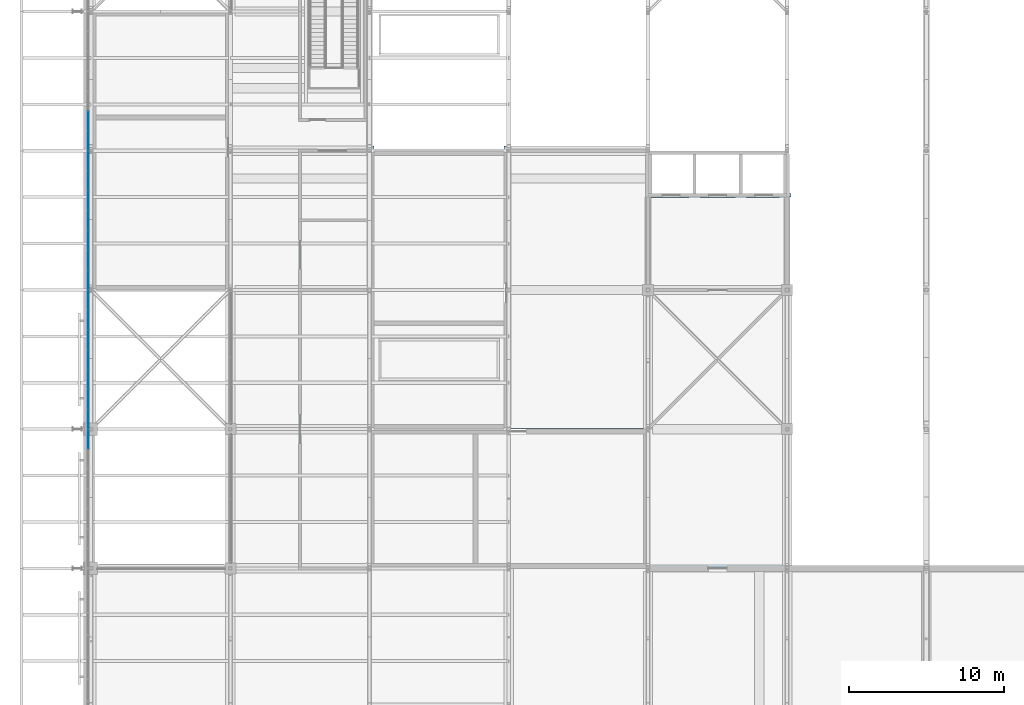
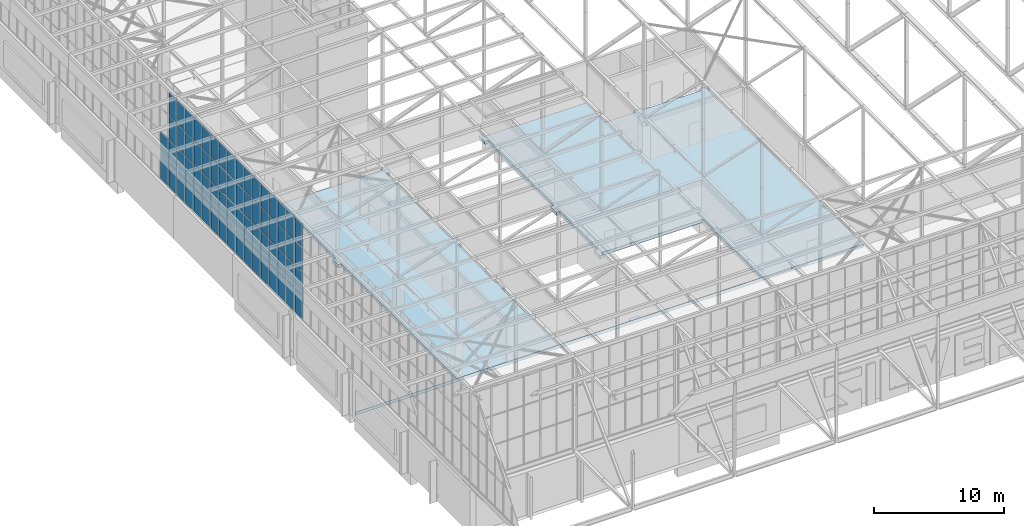
# One storey, part 144 of 646: 66 plates, 1 slab, 4 elements without a shape of their own.
"""IFC4 building model written with IfcOpenShell, lengths in metres."""

from ifc_helpers import new_model, si_unit, direction, frame, origin, origin_2d, place, context, subcontext, project, spatial, polyline, rectangle, outline, extrude, material, layer, layer_set, type_object, element, aggregate, save


model = new_model("IFC4")

# Units and contexts
model_context = context("Model", 3, precision=1e-05, world=origin(), true_north=direction((0.0, 1.0)))
body_context = subcontext(model_context, "Body", "Model", "MODEL_VIEW")
ifc_project = project(units=[si_unit("LENGTHUNIT", "METRE"), si_unit("AREAUNIT", "SQUARE_METRE"), si_unit("VOLUMEUNIT", "CUBIC_METRE"), si_unit("PLANEANGLEUNIT", "RADIAN"), si_unit("MASSUNIT", "GRAM", prefix="KILO")], contexts=[model_context])

# Site, building, storey
site_placement = place(None, origin())
site = spatial("IfcSite", under=ifc_project, at=site_placement, CompositionType="ELEMENT")
building_placement = place(site_placement, origin())
building = spatial("IfcBuilding", under=site, at=building_placement, Name="Silverbay Arena", CompositionType="ELEMENT")
storey_placement = place(building_placement, frame((0.0, 0.0, 33.5)))
storey = spatial("IfcBuildingStorey", under=building, at=storey_placement, Name="L05", CompositionType="ELEMENT", Elevation=33.5)

# Curtain wall, plates
ifc_material_1 = material(Name="Aluminium framed glazing", Category="aluminium")
curtain_wall_type = type_object("IfcCurtainWallType", Name="Curtain wall clerestory 9000 x 9000", PredefinedType="NOTDEFINED", material=ifc_material_1)
curtain_wall_1_placement = place(storey_placement, origin())
curtain_wall_1 = element("IfcCurtainWall", 1, at=curtain_wall_1_placement, inside=storey, type_object=curtain_wall_type, Name="ROOF GABLE CLERESTORY CURTAIN WALL west bay 04", PredefinedType="NOTDEFINED")
ifc_material_2 = material(Name="Laminated glass", Category="glass")
ifc_layer_1 = layer(ifc_material_2, 0.028076171875)
ifc_layer_set_1 = layer_set([ifc_layer_1], Name="Laminated glass")
plate_type = type_object("IfcPlateType", Name="Glass panel 28", PredefinedType="CURTAIN_PANEL", material=ifc_layer_set_1)
plate_1_placement = place(storey_placement, frame((53.820068359375, 44.342041015625, 4.0498046875), z_axis=(0.0, 0.0, 1.0), x_axis=(0.0, 1.0, 0.0)))
plate_1 = element("IfcPlate", 2, at=plate_1_placement, type_object=plate_type, Name="CW60 panel 7.1", PredefinedType="CURTAIN_PANEL", context=body_context, shape_type="SweptSolid", body=[
    extrude(rectangle(XDim=1.19580078125, YDim=0.028076171875, at=origin_2d()), origin(), (0.0, 0.0, 1.0), 2.175048828125),
])
plate_2_placement = place(storey_placement, frame((53.820068359375, 44.342041015625, 6.27490234375), z_axis=(0.0, 0.0, 1.0), x_axis=(0.0, 1.0, 0.0)))
plate_2 = element("IfcPlate", 3, at=plate_2_placement, type_object=plate_type, Name="CW60 panel 7.2", PredefinedType="CURTAIN_PANEL", context=body_context, shape_type="SweptSolid", body=[
    extrude(rectangle(XDim=1.19580078125, YDim=0.028076171875, at=origin_2d()), origin(), (0.0, 0.0, 1.0), 2.199951171875),
])
plate_3_placement = place(storey_placement, frame((53.820068359375, 44.342041015625, 8.52490234375), z_axis=(0.0, 0.0, 1.0), x_axis=(0.0, 1.0, 0.0)))
plate_3 = element("IfcPlate", 4, at=plate_3_placement, type_object=plate_type, Name="CW60 panel 7.3", PredefinedType="CURTAIN_PANEL", context=body_context, shape_type="SweptSolid", body=[
    extrude(rectangle(XDim=1.19580078125, YDim=0.028076171875, at=origin_2d()), origin(), (0.0, 0.0, 1.0), 2.199951171875),
])
plate_4_placement = place(storey_placement, frame((53.820068359375, 44.342041015625, 10.77490234375), z_axis=(0.0, 0.0, 1.0), x_axis=(0.0, 1.0, 0.0)))
plate_4 = element("IfcPlate", 5, at=plate_4_placement, type_object=plate_type, Name="CW60 panel 7.4", PredefinedType="CURTAIN_PANEL", context=body_context, shape_type="SweptSolid", body=[
    extrude(rectangle(XDim=1.19580078125, YDim=0.028076171875, at=origin_2d()), origin(), (0.0, 0.0, 1.0), 2.175048828125),
])
aggregate(curtain_wall_1, [plate_1, plate_2, plate_3, plate_4])

curtain_wall_2_placement = place(storey_placement, origin())
curtain_wall_2 = element("IfcCurtainWall", 6, at=curtain_wall_2_placement, inside=storey, type_object=curtain_wall_type, Name="ROOF GABLE CLERESTORY CURTAIN WALL west bay 05", PredefinedType="NOTDEFINED")
plate_5_placement = place(storey_placement, frame((53.820068359375, 45.657958984375, 4.0498046875), z_axis=(0.0, 0.0, 1.0), x_axis=(0.0, 1.0, 0.0)))
plate_5 = element("IfcPlate", 7, at=plate_5_placement, type_object=plate_type, Name="CW60 panel 1.1", PredefinedType="CURTAIN_PANEL", context=body_context, shape_type="SweptSolid", body=[
    extrude(rectangle(XDim=1.19580078125, YDim=0.028076171875, at=origin_2d()), origin(), (0.0, 0.0, 1.0), 2.175048828125),
])
plate_6_placement = place(storey_placement, frame((53.820068359375, 45.657958984375, 6.27490234375), z_axis=(0.0, 0.0, 1.0), x_axis=(0.0, 1.0, 0.0)))
plate_6 = element("IfcPlate", 8, at=plate_6_placement, type_object=plate_type, Name="CW60 panel 1.2", PredefinedType="CURTAIN_PANEL", context=body_context, shape_type="SweptSolid", body=[
    extrude(rectangle(XDim=1.19580078125, YDim=0.028076171875, at=origin_2d()), origin(), (0.0, 0.0, 1.0), 2.199951171875),
])
plate_7_placement = place(storey_placement, frame((53.820068359375, 45.657958984375, 8.52490234375), z_axis=(0.0, 0.0, 1.0), x_axis=(0.0, 1.0, 0.0)))
plate_7 = element("IfcPlate", 9, at=plate_7_placement, type_object=plate_type, Name="CW60 panel 1.3", PredefinedType="CURTAIN_PANEL", context=body_context, shape_type="SweptSolid", body=[
    extrude(rectangle(XDim=1.19580078125, YDim=0.028076171875, at=origin_2d()), origin(), (0.0, 0.0, 1.0), 2.199951171875),
])
plate_8_placement = place(storey_placement, frame((53.820068359375, 45.657958984375, 10.77490234375), z_axis=(0.0, 0.0, 1.0), x_axis=(0.0, 1.0, 0.0)))
plate_8 = element("IfcPlate", 10, at=plate_8_placement, type_object=plate_type, Name="CW60 panel 1.4", PredefinedType="CURTAIN_PANEL", context=body_context, shape_type="SweptSolid", body=[
    extrude(rectangle(XDim=1.19580078125, YDim=0.028076171875, at=origin_2d()), origin(), (0.0, 0.0, 1.0), 2.175048828125),
])
plate_9_placement = place(storey_placement, frame((53.820068359375, 46.928466796875, 4.0498046875), z_axis=(0.0, 0.0, 1.0), x_axis=(0.0, 1.0, 0.0)))
plate_9 = element("IfcPlate", 11, at=plate_9_placement, type_object=plate_type, Name="CW60 panel 2.1", PredefinedType="CURTAIN_PANEL", context=body_context, shape_type="SweptSolid", body=[
    extrude(rectangle(XDim=1.225830078125, YDim=0.028076171875, at=origin_2d()), origin(), (0.0, 0.0, 1.0), 2.175048828125),
])
plate_10_placement = place(storey_placement, frame((53.820068359375, 46.928466796875, 6.27490234375), z_axis=(0.0, 0.0, 1.0), x_axis=(0.0, 1.0, 0.0)))
plate_10 = element("IfcPlate", 12, at=plate_10_placement, type_object=plate_type, Name="CW60 panel 2.2", PredefinedType="CURTAIN_PANEL", context=body_context, shape_type="SweptSolid", body=[
    extrude(rectangle(XDim=1.225830078125, YDim=0.028076171875, at=origin_2d()), origin(), (0.0, 0.0, 1.0), 2.199951171875),
])
plate_11_placement = place(storey_placement, frame((53.820068359375, 46.928466796875, 8.52490234375), z_axis=(0.0, 0.0, 1.0), x_axis=(0.0, 1.0, 0.0)))
plate_11 = element("IfcPlate", 13, at=plate_11_placement, type_object=plate_type, Name="CW60 panel 2.3", PredefinedType="CURTAIN_PANEL", context=body_context, shape_type="SweptSolid", body=[
    extrude(rectangle(XDim=1.225830078125, YDim=0.028076171875, at=origin_2d()), origin(), (0.0, 0.0, 1.0), 2.199951171875),
])
plate_12_placement = place(storey_placement, frame((53.820068359375, 46.928466796875, 10.77490234375), z_axis=(0.0, 0.0, 1.0), x_axis=(0.0, 1.0, 0.0)))
plate_12 = element("IfcPlate", 14, at=plate_12_placement, type_object=plate_type, Name="CW60 panel 2.4", PredefinedType="CURTAIN_PANEL", context=body_context, shape_type="SweptSolid", body=[
    extrude(rectangle(XDim=1.225830078125, YDim=0.028076171875, at=origin_2d()), origin(), (0.0, 0.0, 1.0), 2.175048828125),
])
plate_13_placement = place(storey_placement, frame((53.820068359375, 48.21435546875, 4.0498046875), z_axis=(0.0, 0.0, 1.0), x_axis=(0.0, 1.0, 0.0)))
plate_13 = element("IfcPlate", 15, at=plate_13_placement, type_object=plate_type, Name="CW60 panel 3.1", PredefinedType="CURTAIN_PANEL", context=body_context, shape_type="SweptSolid", body=[
    extrude(rectangle(XDim=1.225830078125, YDim=0.028076171875, at=origin_2d()), origin(), (0.0, 0.0, 1.0), 2.175048828125),
])
plate_14_placement = place(storey_placement, frame((53.820068359375, 48.21435546875, 6.27490234375), z_axis=(0.0, 0.0, 1.0), x_axis=(0.0, 1.0, 0.0)))
plate_14 = element("IfcPlate", 16, at=plate_14_placement, type_object=plate_type, Name="CW60 panel 3.2", PredefinedType="CURTAIN_PANEL", context=body_context, shape_type="SweptSolid", body=[
    extrude(rectangle(XDim=1.225830078125, YDim=0.028076171875, at=origin_2d()), origin(), (0.0, 0.0, 1.0), 2.199951171875),
])
plate_15_placement = place(storey_placement, frame((53.820068359375, 48.21435546875, 8.52490234375), z_axis=(0.0, 0.0, 1.0), x_axis=(0.0, 1.0, 0.0)))
plate_15 = element("IfcPlate", 17, at=plate_15_placement, type_object=plate_type, Name="CW60 panel 3.3", PredefinedType="CURTAIN_PANEL", context=body_context, shape_type="SweptSolid", body=[
    extrude(rectangle(XDim=1.225830078125, YDim=0.028076171875, at=origin_2d()), origin(), (0.0, 0.0, 1.0), 2.199951171875),
])
plate_16_placement = place(storey_placement, frame((53.820068359375, 48.21435546875, 10.77490234375), z_axis=(0.0, 0.0, 1.0), x_axis=(0.0, 1.0, 0.0)))
plate_16 = element("IfcPlate", 18, at=plate_16_placement, type_object=plate_type, Name="CW60 panel 3.4", PredefinedType="CURTAIN_PANEL", context=body_context, shape_type="SweptSolid", body=[
    extrude(rectangle(XDim=1.225830078125, YDim=0.028076171875, at=origin_2d()), origin(), (0.0, 0.0, 1.0), 2.175048828125),
])
plate_17_placement = place(storey_placement, frame((53.820068359375, 49.5, 4.0498046875), z_axis=(0.0, 0.0, 1.0), x_axis=(0.0, 1.0, 0.0)))
plate_17 = element("IfcPlate", 19, at=plate_17_placement, type_object=plate_type, Name="CW60 panel 4.1", PredefinedType="CURTAIN_PANEL", context=body_context, shape_type="SweptSolid", body=[
    extrude(rectangle(XDim=1.225830078125, YDim=0.028076171875, at=origin_2d()), origin(), (0.0, 0.0, 1.0), 2.175048828125),
])
plate_18_placement = place(storey_placement, frame((53.820068359375, 49.5, 6.27490234375), z_axis=(0.0, 0.0, 1.0), x_axis=(0.0, 1.0, 0.0)))
plate_18 = element("IfcPlate", 20, at=plate_18_placement, type_object=plate_type, Name="CW60 panel 4.2", PredefinedType="CURTAIN_PANEL", context=body_context, shape_type="SweptSolid", body=[
    extrude(rectangle(XDim=1.225830078125, YDim=0.028076171875, at=origin_2d()), origin(), (0.0, 0.0, 1.0), 2.199951171875),
])
plate_19_placement = place(storey_placement, frame((53.820068359375, 49.5, 8.52490234375), z_axis=(0.0, 0.0, 1.0), x_axis=(0.0, 1.0, 0.0)))
plate_19 = element("IfcPlate", 21, at=plate_19_placement, type_object=plate_type, Name="CW60 panel 4.3", PredefinedType="CURTAIN_PANEL", context=body_context, shape_type="SweptSolid", body=[
    extrude(rectangle(XDim=1.225830078125, YDim=0.028076171875, at=origin_2d()), origin(), (0.0, 0.0, 1.0), 2.199951171875),
])
plate_20_placement = place(storey_placement, frame((53.820068359375, 49.5, 10.77490234375), z_axis=(0.0, 0.0, 1.0), x_axis=(0.0, 1.0, 0.0)))
plate_20 = element("IfcPlate", 22, at=plate_20_placement, type_object=plate_type, Name="CW60 panel 4.4", PredefinedType="CURTAIN_PANEL", context=body_context, shape_type="SweptSolid", body=[
    extrude(rectangle(XDim=1.225830078125, YDim=0.028076171875, at=origin_2d()), origin(), (0.0, 0.0, 1.0), 2.175048828125),
])
plate_21_placement = place(storey_placement, frame((53.820068359375, 50.78564453125, 4.0498046875), z_axis=(0.0, 0.0, 1.0), x_axis=(0.0, 1.0, 0.0)))
plate_21 = element("IfcPlate", 23, at=plate_21_placement, type_object=plate_type, Name="CW60 panel 5.1", PredefinedType="CURTAIN_PANEL", context=body_context, shape_type="SweptSolid", body=[
    extrude(rectangle(XDim=1.225830078125, YDim=0.028076171875, at=origin_2d()), origin(), (0.0, 0.0, 1.0), 2.175048828125),
])
plate_22_placement = place(storey_placement, frame((53.820068359375, 50.78564453125, 6.27490234375), z_axis=(0.0, 0.0, 1.0), x_axis=(0.0, 1.0, 0.0)))
plate_22 = element("IfcPlate", 24, at=plate_22_placement, type_object=plate_type, Name="CW60 panel 5.2", PredefinedType="CURTAIN_PANEL", context=body_context, shape_type="SweptSolid", body=[
    extrude(rectangle(XDim=1.225830078125, YDim=0.028076171875, at=origin_2d()), origin(), (0.0, 0.0, 1.0), 2.199951171875),
])
plate_23_placement = place(storey_placement, frame((53.820068359375, 50.78564453125, 8.52490234375), z_axis=(0.0, 0.0, 1.0), x_axis=(0.0, 1.0, 0.0)))
plate_23 = element("IfcPlate", 25, at=plate_23_placement, type_object=plate_type, Name="CW60 panel 5.3", PredefinedType="CURTAIN_PANEL", context=body_context, shape_type="SweptSolid", body=[
    extrude(rectangle(XDim=1.225830078125, YDim=0.028076171875, at=origin_2d()), origin(), (0.0, 0.0, 1.0), 2.199951171875),
])
plate_24_placement = place(storey_placement, frame((53.820068359375, 50.78564453125, 10.77490234375), z_axis=(0.0, 0.0, 1.0), x_axis=(0.0, 1.0, 0.0)))
plate_24 = element("IfcPlate", 26, at=plate_24_placement, type_object=plate_type, Name="CW60 panel 5.4", PredefinedType="CURTAIN_PANEL", context=body_context, shape_type="SweptSolid", body=[
    extrude(rectangle(XDim=1.225830078125, YDim=0.028076171875, at=origin_2d()), origin(), (0.0, 0.0, 1.0), 2.175048828125),
])
plate_25_placement = place(storey_placement, frame((53.820068359375, 52.071533203125, 4.0498046875), z_axis=(0.0, 0.0, 1.0), x_axis=(0.0, 1.0, 0.0)))
plate_25 = element("IfcPlate", 27, at=plate_25_placement, type_object=plate_type, Name="CW60 panel 6.1", PredefinedType="CURTAIN_PANEL", context=body_context, shape_type="SweptSolid", body=[
    extrude(rectangle(XDim=1.225830078125, YDim=0.028076171875, at=origin_2d()), origin(), (0.0, 0.0, 1.0), 2.175048828125),
])
plate_26_placement = place(storey_placement, frame((53.820068359375, 52.071533203125, 6.27490234375), z_axis=(0.0, 0.0, 1.0), x_axis=(0.0, 1.0, 0.0)))
plate_26 = element("IfcPlate", 28, at=plate_26_placement, type_object=plate_type, Name="CW60 panel 6.2", PredefinedType="CURTAIN_PANEL", context=body_context, shape_type="SweptSolid", body=[
    extrude(rectangle(XDim=1.225830078125, YDim=0.028076171875, at=origin_2d()), origin(), (0.0, 0.0, 1.0), 2.199951171875),
])
plate_27_placement = place(storey_placement, frame((53.820068359375, 52.071533203125, 8.52490234375), z_axis=(0.0, 0.0, 1.0), x_axis=(0.0, 1.0, 0.0)))
plate_27 = element("IfcPlate", 29, at=plate_27_placement, type_object=plate_type, Name="CW60 panel 6.3", PredefinedType="CURTAIN_PANEL", context=body_context, shape_type="SweptSolid", body=[
    extrude(rectangle(XDim=1.225830078125, YDim=0.028076171875, at=origin_2d()), origin(), (0.0, 0.0, 1.0), 2.199951171875),
])
plate_28_placement = place(storey_placement, frame((53.820068359375, 52.071533203125, 10.77490234375), z_axis=(0.0, 0.0, 1.0), x_axis=(0.0, 1.0, 0.0)))
plate_28 = element("IfcPlate", 30, at=plate_28_placement, type_object=plate_type, Name="CW60 panel 6.4", PredefinedType="CURTAIN_PANEL", context=body_context, shape_type="SweptSolid", body=[
    extrude(rectangle(XDim=1.225830078125, YDim=0.028076171875, at=origin_2d()), origin(), (0.0, 0.0, 1.0), 2.175048828125),
])
plate_29_placement = place(storey_placement, frame((53.820068359375, 53.342041015625, 4.0498046875), z_axis=(0.0, 0.0, 1.0), x_axis=(0.0, 1.0, 0.0)))
plate_29 = element("IfcPlate", 31, at=plate_29_placement, type_object=plate_type, Name="CW60 panel 7.1", PredefinedType="CURTAIN_PANEL", context=body_context, shape_type="SweptSolid", body=[
    extrude(rectangle(XDim=1.19580078125, YDim=0.028076171875, at=origin_2d()), origin(), (0.0, 0.0, 1.0), 2.175048828125),
])
plate_30_placement = place(storey_placement, frame((53.820068359375, 53.342041015625, 6.27490234375), z_axis=(0.0, 0.0, 1.0), x_axis=(0.0, 1.0, 0.0)))
plate_30 = element("IfcPlate", 32, at=plate_30_placement, type_object=plate_type, Name="CW60 panel 7.2", PredefinedType="CURTAIN_PANEL", context=body_context, shape_type="SweptSolid", body=[
    extrude(rectangle(XDim=1.19580078125, YDim=0.028076171875, at=origin_2d()), origin(), (0.0, 0.0, 1.0), 2.199951171875),
])
plate_31_placement = place(storey_placement, frame((53.820068359375, 53.342041015625, 8.52490234375), z_axis=(0.0, 0.0, 1.0), x_axis=(0.0, 1.0, 0.0)))
plate_31 = element("IfcPlate", 33, at=plate_31_placement, type_object=plate_type, Name="CW60 panel 7.3", PredefinedType="CURTAIN_PANEL", context=body_context, shape_type="SweptSolid", body=[
    extrude(rectangle(XDim=1.19580078125, YDim=0.028076171875, at=origin_2d()), origin(), (0.0, 0.0, 1.0), 2.199951171875),
])
plate_32_placement = place(storey_placement, frame((53.820068359375, 53.342041015625, 10.77490234375), z_axis=(0.0, 0.0, 1.0), x_axis=(0.0, 1.0, 0.0)))
plate_32 = element("IfcPlate", 34, at=plate_32_placement, type_object=plate_type, Name="CW60 panel 7.4", PredefinedType="CURTAIN_PANEL", context=body_context, shape_type="SweptSolid", body=[
    extrude(rectangle(XDim=1.19580078125, YDim=0.028076171875, at=origin_2d()), origin(), (0.0, 0.0, 1.0), 2.175048828125),
])
aggregate(curtain_wall_2, [plate_5, plate_6, plate_7, plate_8, plate_9, plate_10, plate_11, plate_12, plate_13, plate_14, plate_15, plate_16, plate_17, plate_18, plate_19, plate_20, plate_21, plate_22, plate_23, plate_24, plate_25, plate_26, plate_27, plate_28, plate_29, plate_30, plate_31, plate_32])

curtain_wall_3_placement = place(storey_placement, origin())
curtain_wall_3 = element("IfcCurtainWall", 35, at=curtain_wall_3_placement, inside=storey, type_object=curtain_wall_type, Name="ROOF GABLE CLERESTORY CURTAIN WALL west bay 06", PredefinedType="NOTDEFINED")
plate_33_placement = place(storey_placement, frame((53.820068359375, 54.657958984375, 4.0498046875), z_axis=(0.0, 0.0, 1.0), x_axis=(0.0, 1.0, 0.0)))
plate_33 = element("IfcPlate", 36, at=plate_33_placement, type_object=plate_type, Name="CW60 panel 1.1", PredefinedType="CURTAIN_PANEL", context=body_context, shape_type="SweptSolid", body=[
    extrude(rectangle(XDim=1.19580078125, YDim=0.028076171875, at=origin_2d()), origin(), (0.0, 0.0, 1.0), 2.175048828125),
])
plate_34_placement = place(storey_placement, frame((53.820068359375, 54.657958984375, 6.27490234375), z_axis=(0.0, 0.0, 1.0), x_axis=(0.0, 1.0, 0.0)))
plate_34 = element("IfcPlate", 37, at=plate_34_placement, type_object=plate_type, Name="CW60 panel 1.2", PredefinedType="CURTAIN_PANEL", context=body_context, shape_type="SweptSolid", body=[
    extrude(rectangle(XDim=1.19580078125, YDim=0.028076171875, at=origin_2d()), origin(), (0.0, 0.0, 1.0), 2.199951171875),
])
plate_35_placement = place(storey_placement, frame((53.820068359375, 54.657958984375, 8.52490234375), z_axis=(0.0, 0.0, 1.0), x_axis=(0.0, 1.0, 0.0)))
plate_35 = element("IfcPlate", 38, at=plate_35_placement, type_object=plate_type, Name="CW60 panel 1.3", PredefinedType="CURTAIN_PANEL", context=body_context, shape_type="SweptSolid", body=[
    extrude(rectangle(XDim=1.19580078125, YDim=0.028076171875, at=origin_2d()), origin(), (0.0, 0.0, 1.0), 2.199951171875),
])
plate_36_placement = place(storey_placement, frame((53.820068359375, 54.657958984375, 10.77490234375), z_axis=(0.0, 0.0, 1.0), x_axis=(0.0, 1.0, 0.0)))
plate_36 = element("IfcPlate", 39, at=plate_36_placement, type_object=plate_type, Name="CW60 panel 1.4", PredefinedType="CURTAIN_PANEL", context=body_context, shape_type="SweptSolid", body=[
    extrude(rectangle(XDim=1.19580078125, YDim=0.028076171875, at=origin_2d()), origin(), (0.0, 0.0, 1.0), 2.175048828125),
])
plate_37_placement = place(storey_placement, frame((53.820068359375, 55.928466796875, 4.0498046875), z_axis=(0.0, 0.0, 1.0), x_axis=(0.0, 1.0, 0.0)))
plate_37 = element("IfcPlate", 40, at=plate_37_placement, type_object=plate_type, Name="CW60 panel 2.1", PredefinedType="CURTAIN_PANEL", context=body_context, shape_type="SweptSolid", body=[
    extrude(rectangle(XDim=1.225830078125, YDim=0.028076171875, at=origin_2d()), origin(), (0.0, 0.0, 1.0), 2.175048828125),
])
plate_38_placement = place(storey_placement, frame((53.820068359375, 55.928466796875, 6.27490234375), z_axis=(0.0, 0.0, 1.0), x_axis=(0.0, 1.0, 0.0)))
plate_38 = element("IfcPlate", 41, at=plate_38_placement, type_object=plate_type, Name="CW60 panel 2.2", PredefinedType="CURTAIN_PANEL", context=body_context, shape_type="SweptSolid", body=[
    extrude(rectangle(XDim=1.225830078125, YDim=0.028076171875, at=origin_2d()), origin(), (0.0, 0.0, 1.0), 2.199951171875),
])
plate_39_placement = place(storey_placement, frame((53.820068359375, 55.928466796875, 8.52490234375), z_axis=(0.0, 0.0, 1.0), x_axis=(0.0, 1.0, 0.0)))
plate_39 = element("IfcPlate", 42, at=plate_39_placement, type_object=plate_type, Name="CW60 panel 2.3", PredefinedType="CURTAIN_PANEL", context=body_context, shape_type="SweptSolid", body=[
    extrude(rectangle(XDim=1.225830078125, YDim=0.028076171875, at=origin_2d()), origin(), (0.0, 0.0, 1.0), 2.199951171875),
])
plate_40_placement = place(storey_placement, frame((53.820068359375, 55.928466796875, 10.77490234375), z_axis=(0.0, 0.0, 1.0), x_axis=(0.0, 1.0, 0.0)))
plate_40 = element("IfcPlate", 43, at=plate_40_placement, type_object=plate_type, Name="CW60 panel 2.4", PredefinedType="CURTAIN_PANEL", context=body_context, shape_type="SweptSolid", body=[
    extrude(rectangle(XDim=1.225830078125, YDim=0.028076171875, at=origin_2d()), origin(), (0.0, 0.0, 1.0), 2.175048828125),
])
plate_41_placement = place(storey_placement, frame((53.820068359375, 57.21435546875, 4.0498046875), z_axis=(0.0, 0.0, 1.0), x_axis=(0.0, 1.0, 0.0)))
plate_41 = element("IfcPlate", 44, at=plate_41_placement, type_object=plate_type, Name="CW60 panel 3.1", PredefinedType="CURTAIN_PANEL", context=body_context, shape_type="SweptSolid", body=[
    extrude(rectangle(XDim=1.225830078125, YDim=0.028076171875, at=origin_2d()), origin(), (0.0, 0.0, 1.0), 2.175048828125),
])
plate_42_placement = place(storey_placement, frame((53.820068359375, 57.21435546875, 6.27490234375), z_axis=(0.0, 0.0, 1.0), x_axis=(0.0, 1.0, 0.0)))
plate_42 = element("IfcPlate", 45, at=plate_42_placement, type_object=plate_type, Name="CW60 panel 3.2", PredefinedType="CURTAIN_PANEL", context=body_context, shape_type="SweptSolid", body=[
    extrude(rectangle(XDim=1.225830078125, YDim=0.028076171875, at=origin_2d()), origin(), (0.0, 0.0, 1.0), 2.199951171875),
])
plate_43_placement = place(storey_placement, frame((53.820068359375, 57.21435546875, 8.52490234375), z_axis=(0.0, 0.0, 1.0), x_axis=(0.0, 1.0, 0.0)))
plate_43 = element("IfcPlate", 46, at=plate_43_placement, type_object=plate_type, Name="CW60 panel 3.3", PredefinedType="CURTAIN_PANEL", context=body_context, shape_type="SweptSolid", body=[
    extrude(rectangle(XDim=1.225830078125, YDim=0.028076171875, at=origin_2d()), origin(), (0.0, 0.0, 1.0), 2.199951171875),
])
plate_44_placement = place(storey_placement, frame((53.820068359375, 57.21435546875, 10.77490234375), z_axis=(0.0, 0.0, 1.0), x_axis=(0.0, 1.0, 0.0)))
plate_44 = element("IfcPlate", 47, at=plate_44_placement, type_object=plate_type, Name="CW60 panel 3.4", PredefinedType="CURTAIN_PANEL", context=body_context, shape_type="SweptSolid", body=[
    extrude(rectangle(XDim=1.225830078125, YDim=0.028076171875, at=origin_2d()), origin(), (0.0, 0.0, 1.0), 2.175048828125),
])
plate_45_placement = place(storey_placement, frame((53.820068359375, 58.5, 4.0498046875), z_axis=(0.0, 0.0, 1.0), x_axis=(0.0, 1.0, 0.0)))
plate_45 = element("IfcPlate", 48, at=plate_45_placement, type_object=plate_type, Name="CW60 panel 4.1", PredefinedType="CURTAIN_PANEL", context=body_context, shape_type="SweptSolid", body=[
    extrude(rectangle(XDim=1.225830078125, YDim=0.028076171875, at=origin_2d()), origin(), (0.0, 0.0, 1.0), 2.175048828125),
])
plate_46_placement = place(storey_placement, frame((53.820068359375, 58.5, 6.27490234375), z_axis=(0.0, 0.0, 1.0), x_axis=(0.0, 1.0, 0.0)))
plate_46 = element("IfcPlate", 49, at=plate_46_placement, type_object=plate_type, Name="CW60 panel 4.2", PredefinedType="CURTAIN_PANEL", context=body_context, shape_type="SweptSolid", body=[
    extrude(rectangle(XDim=1.225830078125, YDim=0.028076171875, at=origin_2d()), origin(), (0.0, 0.0, 1.0), 2.199951171875),
])
plate_47_placement = place(storey_placement, frame((53.820068359375, 58.5, 8.52490234375), z_axis=(0.0, 0.0, 1.0), x_axis=(0.0, 1.0, 0.0)))
plate_47 = element("IfcPlate", 50, at=plate_47_placement, type_object=plate_type, Name="CW60 panel 4.3", PredefinedType="CURTAIN_PANEL", context=body_context, shape_type="SweptSolid", body=[
    extrude(rectangle(XDim=1.225830078125, YDim=0.028076171875, at=origin_2d()), origin(), (0.0, 0.0, 1.0), 2.199951171875),
])
plate_48_placement = place(storey_placement, frame((53.820068359375, 58.5, 10.77490234375), z_axis=(0.0, 0.0, 1.0), x_axis=(0.0, 1.0, 0.0)))
plate_48 = element("IfcPlate", 51, at=plate_48_placement, type_object=plate_type, Name="CW60 panel 4.4", PredefinedType="CURTAIN_PANEL", context=body_context, shape_type="SweptSolid", body=[
    extrude(rectangle(XDim=1.225830078125, YDim=0.028076171875, at=origin_2d()), origin(), (0.0, 0.0, 1.0), 2.175048828125),
])
plate_49_placement = place(storey_placement, frame((53.820068359375, 59.78564453125, 4.0498046875), z_axis=(0.0, 0.0, 1.0), x_axis=(0.0, 1.0, 0.0)))
plate_49 = element("IfcPlate", 52, at=plate_49_placement, type_object=plate_type, Name="CW60 panel 5.1", PredefinedType="CURTAIN_PANEL", context=body_context, shape_type="SweptSolid", body=[
    extrude(rectangle(XDim=1.225830078125, YDim=0.028076171875, at=origin_2d()), origin(), (0.0, 0.0, 1.0), 2.175048828125),
])
plate_50_placement = place(storey_placement, frame((53.820068359375, 59.78564453125, 6.27490234375), z_axis=(0.0, 0.0, 1.0), x_axis=(0.0, 1.0, 0.0)))
plate_50 = element("IfcPlate", 53, at=plate_50_placement, type_object=plate_type, Name="CW60 panel 5.2", PredefinedType="CURTAIN_PANEL", context=body_context, shape_type="SweptSolid", body=[
    extrude(rectangle(XDim=1.225830078125, YDim=0.028076171875, at=origin_2d()), origin(), (0.0, 0.0, 1.0), 2.199951171875),
])
plate_51_placement = place(storey_placement, frame((53.820068359375, 59.78564453125, 8.52490234375), z_axis=(0.0, 0.0, 1.0), x_axis=(0.0, 1.0, 0.0)))
plate_51 = element("IfcPlate", 54, at=plate_51_placement, type_object=plate_type, Name="CW60 panel 5.3", PredefinedType="CURTAIN_PANEL", context=body_context, shape_type="SweptSolid", body=[
    extrude(rectangle(XDim=1.225830078125, YDim=0.028076171875, at=origin_2d()), origin(), (0.0, 0.0, 1.0), 2.199951171875),
])
plate_52_placement = place(storey_placement, frame((53.820068359375, 59.78564453125, 10.77490234375), z_axis=(0.0, 0.0, 1.0), x_axis=(0.0, 1.0, 0.0)))
plate_52 = element("IfcPlate", 55, at=plate_52_placement, type_object=plate_type, Name="CW60 panel 5.4", PredefinedType="CURTAIN_PANEL", context=body_context, shape_type="SweptSolid", body=[
    extrude(rectangle(XDim=1.225830078125, YDim=0.028076171875, at=origin_2d()), origin(), (0.0, 0.0, 1.0), 2.175048828125),
])
plate_53_placement = place(storey_placement, frame((53.820068359375, 61.071533203125, 4.0498046875), z_axis=(0.0, 0.0, 1.0), x_axis=(0.0, 1.0, 0.0)))
plate_53 = element("IfcPlate", 56, at=plate_53_placement, type_object=plate_type, Name="CW60 panel 6.1", PredefinedType="CURTAIN_PANEL", context=body_context, shape_type="SweptSolid", body=[
    extrude(rectangle(XDim=1.225830078125, YDim=0.028076171875, at=origin_2d()), origin(), (0.0, 0.0, 1.0), 2.175048828125),
])
plate_54_placement = place(storey_placement, frame((53.820068359375, 61.071533203125, 6.27490234375), z_axis=(0.0, 0.0, 1.0), x_axis=(0.0, 1.0, 0.0)))
plate_54 = element("IfcPlate", 57, at=plate_54_placement, type_object=plate_type, Name="CW60 panel 6.2", PredefinedType="CURTAIN_PANEL", context=body_context, shape_type="SweptSolid", body=[
    extrude(rectangle(XDim=1.225830078125, YDim=0.028076171875, at=origin_2d()), origin(), (0.0, 0.0, 1.0), 2.199951171875),
])
plate_55_placement = place(storey_placement, frame((53.820068359375, 61.071533203125, 8.52490234375), z_axis=(0.0, 0.0, 1.0), x_axis=(0.0, 1.0, 0.0)))
plate_55 = element("IfcPlate", 58, at=plate_55_placement, type_object=plate_type, Name="CW60 panel 6.3", PredefinedType="CURTAIN_PANEL", context=body_context, shape_type="SweptSolid", body=[
    extrude(rectangle(XDim=1.225830078125, YDim=0.028076171875, at=origin_2d()), origin(), (0.0, 0.0, 1.0), 2.199951171875),
])
plate_56_placement = place(storey_placement, frame((53.820068359375, 61.071533203125, 10.77490234375), z_axis=(0.0, 0.0, 1.0), x_axis=(0.0, 1.0, 0.0)))
plate_56 = element("IfcPlate", 59, at=plate_56_placement, type_object=plate_type, Name="CW60 panel 6.4", PredefinedType="CURTAIN_PANEL", context=body_context, shape_type="SweptSolid", body=[
    extrude(rectangle(XDim=1.225830078125, YDim=0.028076171875, at=origin_2d()), origin(), (0.0, 0.0, 1.0), 2.175048828125),
])
plate_57_placement = place(storey_placement, frame((53.820068359375, 62.342041015625, 4.0498046875), z_axis=(0.0, 0.0, 1.0), x_axis=(0.0, 1.0, 0.0)))
plate_57 = element("IfcPlate", 60, at=plate_57_placement, type_object=plate_type, Name="CW60 panel 7.1", PredefinedType="CURTAIN_PANEL", context=body_context, shape_type="SweptSolid", body=[
    extrude(rectangle(XDim=1.19580078125, YDim=0.028076171875, at=origin_2d()), origin(), (0.0, 0.0, 1.0), 2.175048828125),
])
plate_58_placement = place(storey_placement, frame((53.820068359375, 62.342041015625, 6.27490234375), z_axis=(0.0, 0.0, 1.0), x_axis=(0.0, 1.0, 0.0)))
plate_58 = element("IfcPlate", 61, at=plate_58_placement, type_object=plate_type, Name="CW60 panel 7.2", PredefinedType="CURTAIN_PANEL", context=body_context, shape_type="SweptSolid", body=[
    extrude(rectangle(XDim=1.19580078125, YDim=0.028076171875, at=origin_2d()), origin(), (0.0, 0.0, 1.0), 2.199951171875),
])
plate_59_placement = place(storey_placement, frame((53.820068359375, 62.342041015625, 8.52490234375), z_axis=(0.0, 0.0, 1.0), x_axis=(0.0, 1.0, 0.0)))
plate_59 = element("IfcPlate", 62, at=plate_59_placement, type_object=plate_type, Name="CW60 panel 7.3", PredefinedType="CURTAIN_PANEL", context=body_context, shape_type="SweptSolid", body=[
    extrude(rectangle(XDim=1.19580078125, YDim=0.028076171875, at=origin_2d()), origin(), (0.0, 0.0, 1.0), 2.199951171875),
])
plate_60_placement = place(storey_placement, frame((53.820068359375, 62.342041015625, 10.77490234375), z_axis=(0.0, 0.0, 1.0), x_axis=(0.0, 1.0, 0.0)))
plate_60 = element("IfcPlate", 63, at=plate_60_placement, type_object=plate_type, Name="CW60 panel 7.4", PredefinedType="CURTAIN_PANEL", context=body_context, shape_type="SweptSolid", body=[
    extrude(rectangle(XDim=1.19580078125, YDim=0.028076171875, at=origin_2d()), origin(), (0.0, 0.0, 1.0), 2.175048828125),
])
aggregate(curtain_wall_3, [plate_33, plate_34, plate_35, plate_36, plate_37, plate_38, plate_39, plate_40, plate_41, plate_42, plate_43, plate_44, plate_45, plate_46, plate_47, plate_48, plate_49, plate_50, plate_51, plate_52, plate_53, plate_54, plate_55, plate_56, plate_57, plate_58, plate_59, plate_60])

curtain_wall_4_placement = place(storey_placement, origin())
curtain_wall_4 = element("IfcCurtainWall", 64, at=curtain_wall_4_placement, inside=storey, type_object=curtain_wall_type, Name="ROOF GABLE CLERESTORY CURTAIN WALL west bay 07", PredefinedType="NOTDEFINED")
plate_61_placement = place(storey_placement, frame((53.820068359375, 63.657958984375, 4.0498046875), z_axis=(0.0, 0.0, 1.0), x_axis=(0.0, 1.0, 0.0)))
plate_61 = element("IfcPlate", 65, at=plate_61_placement, type_object=plate_type, Name="CW60 panel 1.1", PredefinedType="CURTAIN_PANEL", context=body_context, shape_type="SweptSolid", body=[
    extrude(rectangle(XDim=1.19580078125, YDim=0.028076171875, at=origin_2d()), origin(), (0.0, 0.0, 1.0), 2.175048828125),
])
plate_62_placement = place(storey_placement, frame((53.820068359375, 63.657958984375, 6.27490234375), z_axis=(0.0, 0.0, 1.0), x_axis=(0.0, 1.0, 0.0)))
plate_62 = element("IfcPlate", 66, at=plate_62_placement, type_object=plate_type, Name="CW60 panel 1.2", PredefinedType="CURTAIN_PANEL", context=body_context, shape_type="SweptSolid", body=[
    extrude(rectangle(XDim=1.19580078125, YDim=0.028076171875, at=origin_2d()), origin(), (0.0, 0.0, 1.0), 2.199951171875),
])
plate_63_placement = place(storey_placement, frame((53.820068359375, 63.657958984375, 8.52490234375), z_axis=(0.0, 0.0, 1.0), x_axis=(0.0, 1.0, 0.0)))
plate_63 = element("IfcPlate", 67, at=plate_63_placement, type_object=plate_type, Name="CW60 panel 1.3", PredefinedType="CURTAIN_PANEL", context=body_context, shape_type="SweptSolid", body=[
    extrude(rectangle(XDim=1.19580078125, YDim=0.028076171875, at=origin_2d()), origin(), (0.0, 0.0, 1.0), 2.199951171875),
])
plate_64_placement = place(storey_placement, frame((53.820068359375, 63.657958984375, 10.77490234375), z_axis=(0.0, 0.0, 1.0), x_axis=(0.0, 1.0, 0.0)))
plate_64 = element("IfcPlate", 68, at=plate_64_placement, type_object=plate_type, Name="CW60 panel 1.4", PredefinedType="CURTAIN_PANEL", context=body_context, shape_type="SweptSolid", body=[
    extrude(rectangle(XDim=1.19580078125, YDim=0.028076171875, at=origin_2d()), origin(), (0.0, 0.0, 1.0), 2.175048828125),
])
plate_65_placement = place(storey_placement, frame((53.820068359375, 64.928466796875, 4.0498046875), z_axis=(0.0, 0.0, 1.0), x_axis=(0.0, 1.0, 0.0)))
plate_65 = element("IfcPlate", 69, at=plate_65_placement, type_object=plate_type, Name="CW60 panel 2.1", PredefinedType="CURTAIN_PANEL", context=body_context, shape_type="SweptSolid", body=[
    extrude(rectangle(XDim=1.225830078125, YDim=0.028076171875, at=origin_2d()), origin(), (0.0, 0.0, 1.0), 2.175048828125),
])
plate_66_placement = place(storey_placement, frame((53.820068359375, 64.928466796875, 6.27490234375), z_axis=(0.0, 0.0, 1.0), x_axis=(0.0, 1.0, 0.0)))
plate_66 = element("IfcPlate", 70, at=plate_66_placement, type_object=plate_type, Name="CW60 panel 2.2", PredefinedType="CURTAIN_PANEL", context=body_context, shape_type="SweptSolid", body=[
    extrude(rectangle(XDim=1.225830078125, YDim=0.028076171875, at=origin_2d()), origin(), (0.0, 0.0, 1.0), 2.199951171875),
])
aggregate(curtain_wall_4, [plate_61, plate_62, plate_63, plate_64, plate_65, plate_66])

# Slab
ifc_material_3 = material(Name="Concrete Grade C45", Category="concrete")
ifc_layer_2 = layer(ifc_material_3, 0.300048828125)
ifc_layer_set_2 = layer_set([ifc_layer_2], Name="Concrete Grade C45")
slab_type = type_object("IfcSlabType", Name="RC floor slab 300", PredefinedType="FLOOR", material=ifc_layer_set_2)
slab_placement = place(storey_placement, frame((0.0, 0.0, -0.300048828125)))
element("IfcSlab", 71, at=slab_placement, inside=storey, type_object=slab_type, Name="Floor slab L05 unit 4", PredefinedType="FLOOR", context=body_context, shape_type="SweptSolid", body=[
    extrude(outline(polyline([(54.02490234375, 35.97509765625), (54.02490234375, 36.0), (63.0, 36.0), (63.0, 53.699951171875), (62.699951171875, 53.699951171875), (62.699951171875, 54.60009765625), (63.0, 54.60009765625), (63.0, 63.0), (72.0, 63.0), (72.0, 63.300048828125), (72.300048828125, 63.300048828125), (72.300048828125, 62.39990234375), (72.0, 62.39990234375), (72.0, 52.300048828125), (72.300048828125, 52.300048828125), (72.300048828125, 51.39990234375), (72.0, 51.39990234375), (72.0, 45.60009765625), (72.300048828125, 45.60009765625), (72.300048828125, 44.699951171875), (72.0, 44.699951171875), (72.0, 36.0), (78.39990234375, 36.0), (78.39990234375, 36.300048828125), (79.300048828125, 36.300048828125), (79.300048828125, 36.0), (90.0, 36.0), (90.0, 45.0), (81.0, 45.0), (81.0, 44.699951171875), (80.699951171875, 44.699951171875), (80.699951171875, 45.60009765625), (81.0, 45.60009765625), (81.0, 51.39990234375), (80.699951171875, 51.39990234375), (80.699951171875, 52.300048828125), (81.0, 52.300048828125), (81.0, 62.39990234375), (80.699951171875, 62.39990234375), (80.699951171875, 63.300048828125), (81.0, 63.300048828125), (81.0, 63.0), (90.0, 63.0), (90.0, 60.0), (92.64990234375, 60.0), (92.64990234375, 60.25), (93.35009765625, 60.25), (93.35009765625, 60.0), (95.64990234375, 60.0), (95.64990234375, 60.25), (96.35009765625, 60.25), (96.35009765625, 60.0), (98.5, 60.0), (98.5, 60.25), (99.25, 60.25), (99.25, 60.0), (99.0, 60.0), (99.0, 35.97509765625), (54.02490234375, 35.97509765625)])), origin(), (0.0, 0.0, 1.0), 0.300048828125),
])

save(model, "model.ifc")
